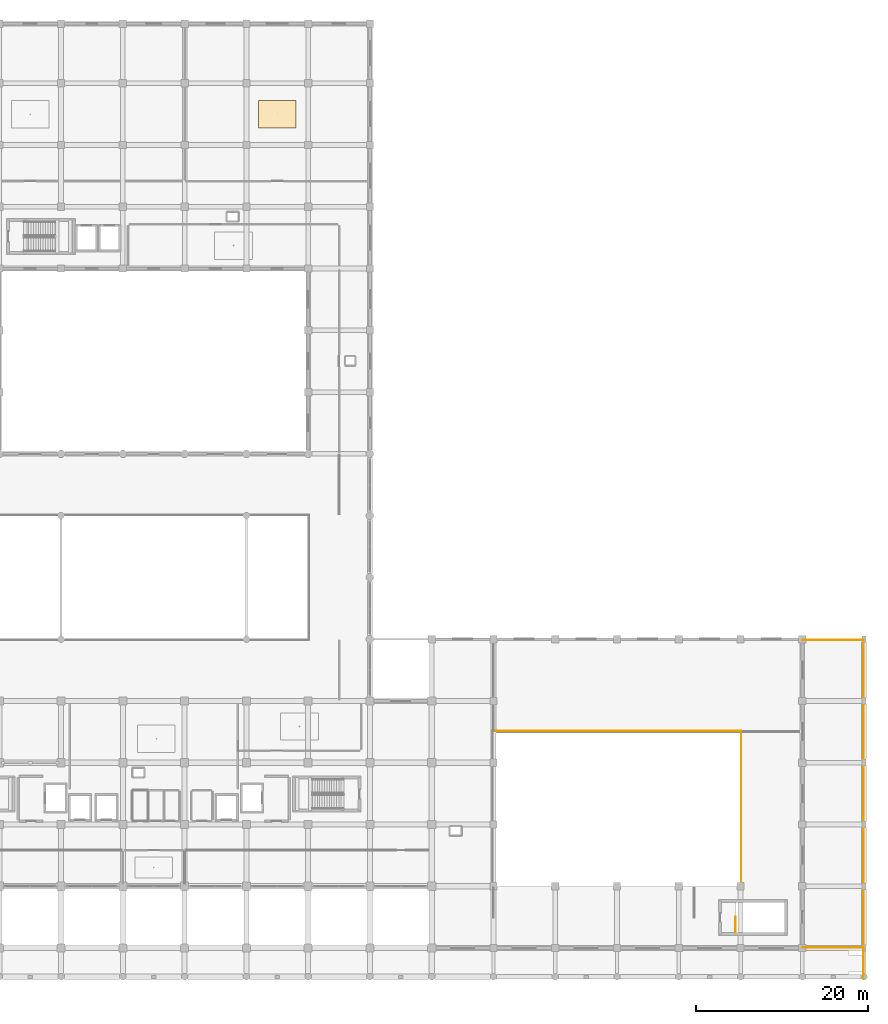
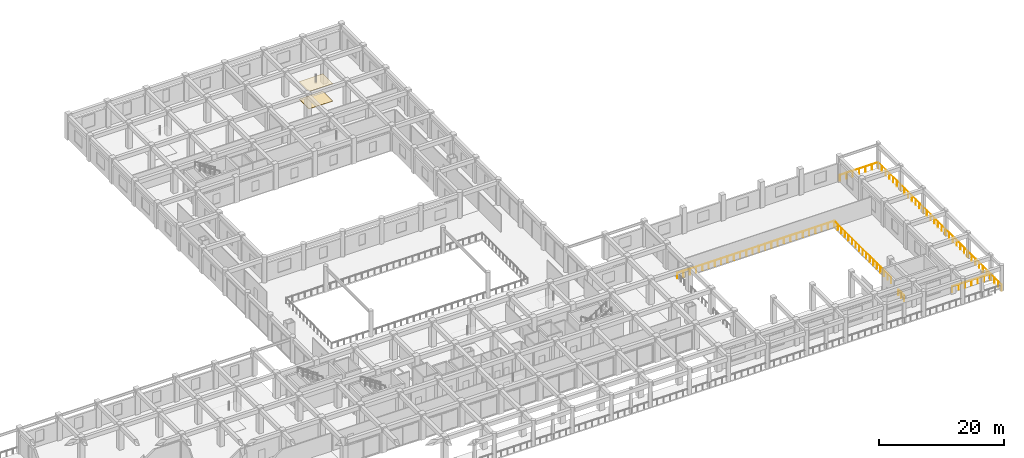
# One storey, part 54 of 54: 7 railings, 2 coverings.
"""IFC4 building model written with IfcOpenShell, lengths in metres."""

from ifc_helpers import new_model, si_unit, direction, frame, origin, origin_2d, place, context, subcontext, project, spatial, rectangle, circle, extrude, material, layer, layer_set, type_object, element, save


model = new_model("IFC4")

# Units and contexts
model_context = context("Model", 3, precision=1e-05, world=origin(), true_north=direction((0.0, 1.0)))
body_context = subcontext(model_context, "Body", "Model", "MODEL_VIEW")
ifc_project = project(units=[si_unit("LENGTHUNIT", "METRE"), si_unit("AREAUNIT", "SQUARE_METRE"), si_unit("VOLUMEUNIT", "CUBIC_METRE"), si_unit("PLANEANGLEUNIT", "RADIAN"), si_unit("MASSUNIT", "GRAM", prefix="KILO")], contexts=[model_context])

# Site, building, storey
site_placement = place(None, origin())
site = spatial("IfcSite", under=ifc_project, at=site_placement, CompositionType="ELEMENT")
building_placement = place(site_placement, origin())
building = spatial("IfcBuilding", under=site, at=building_placement, Name="Kazehaya Institute of Natural Sciences", CompositionType="ELEMENT")
storey_placement = place(building_placement, frame((0.0, 0.0, 5.39990234375)))
storey = spatial("IfcBuildingStorey", under=building, at=storey_placement, Name="L01", CompositionType="ELEMENT", Elevation=5.39990234375)

# Coverings
ifc_material_1 = material(Name="Mineral-fibre acoustic ceiling tile")
ifc_layer_1 = layer(ifc_material_1, 0.02490234375, Name="Mineral-fibre acoustic ceiling tile")
ifc_layer_set_1 = layer_set([ifc_layer_1], Name="Mineral-fibre acoustic ceiling tile")
covering_type_1 = type_object("IfcCoveringType", Name="COV-CEIL-AC", PredefinedType="CEILING", material=ifc_layer_set_1)
covering_1_placement = place(storey_placement, frame((101.397705078125, 104.005615234375, 3.3876953125), z_axis=(0.0, 0.0, 1.0), x_axis=(1.0, 0.0, 0.0)))
element("IfcCovering", 1, at=covering_1_placement, inside=storey, type_object=covering_type_1, Name="L01 Laser Interferometry Lab ceiling 22", PredefinedType="CEILING", context=body_context, shape_type="SweptSolid", body=[
    extrude(rectangle(XDim=4.39990234375, YDim=3.199951171875, at=origin_2d()), origin(), (0.0, 0.0, 1.0), 0.02490234375),
])
ifc_material_2 = material(Name="Polished Sawara stone terrazzo flooring", Category="masonry")
ifc_layer_2 = layer(ifc_material_2, 0.02001953125, Name="Polished Sawara stone terrazzo flooring", Category="masonry")
ifc_layer_set_2 = layer_set([ifc_layer_2], Name="Polished Sawara stone terrazzo flooring")
covering_type_2 = type_object("IfcCoveringType", Name="COV-FLR-TRZ", PredefinedType="FLOORING", material=ifc_layer_set_2)
covering_2_placement = place(storey_placement, frame((101.397705078125, 104.005615234375, 0.0), z_axis=(0.0, 0.0, 1.0), x_axis=(1.0, 0.0, 0.0)))
element("IfcCovering", 2, at=covering_2_placement, inside=storey, type_object=covering_type_2, Name="L01 Laser Interferometry Lab finish flooring 22", PredefinedType="FLOORING", context=body_context, shape_type="SweptSolid", body=[
    extrude(rectangle(XDim=4.39990234375, YDim=3.199951171875, at=origin_2d()), origin(), (0.0, 0.0, 1.0), 0.02001953125),
])

# Railings
ifc_material_3 = material(Name="Precast limestone and bronze balustrade", Category="masonry")
railing_type_1 = type_object("IfcRailingType", Name="RL-GUARD-TER", PredefinedType="BALUSTRADE", material=ifc_material_3)
railing_1_placement = place(storey_placement, frame((169.719970703125, 3.280029296875, 0.0)))
element("IfcRailing", 3, at=railing_1_placement, inside=storey, type_object=railing_type_1, Name="L01 terrace balustrade GRD-L01-003", PredefinedType="BALUSTRADE", context=body_context, shape_type="SweptSolid", body=[
    extrude(circle(Radius=0.02392578125, at=origin_2d()), frame((0.0, 0.0, 1.1259765625), z_axis=(0.0, 1.0, 0.0), x_axis=(-1.0, 0.0, 0.0)), (0.0, 0.0, 1.0), 3.43994140625),
    extrude(circle(Radius=0.02099609375, at=origin_2d()), origin(), (0.0, 0.0, 1.0), 1.101806640625),
    extrude(circle(Radius=0.02099609375, at=origin_2d()), frame((0.0, 1.146728515625, 0.0)), (0.0, 0.0, 1.0), 1.101806640625),
    extrude(circle(Radius=0.02099609375, at=origin_2d()), frame((0.0, 2.293212890625, 0.0)), (0.0, 0.0, 1.0), 1.101806640625),
    extrude(circle(Radius=0.02099609375, at=origin_2d()), frame((0.0, 3.43994140625, 0.0)), (0.0, 0.0, 1.0), 1.101806640625),
])
railing_2_placement = place(storey_placement, frame((162.679931640625, 6.8798828125, 0.0)))
element("IfcRailing", 4, at=railing_2_placement, inside=storey, type_object=railing_type_1, Name="L01 terrace balustrade GRD-L01-007", PredefinedType="BALUSTRADE", context=body_context, shape_type="SweptSolid", body=[
    extrude(circle(Radius=0.02392578125, at=origin_2d()), frame((0.0, 0.0, 1.1259765625), z_axis=(1.0, 0.0, 0.0), x_axis=(0.0, 1.0, 0.0)), (0.0, 0.0, 1.0), 7.0400390625),
    extrude(circle(Radius=0.02099609375, at=origin_2d()), origin(), (0.0, 0.0, 1.0), 1.101806640625),
    extrude(circle(Radius=0.02099609375, at=origin_2d()), frame((1.17333984375, 0.0, 0.0)), (0.0, 0.0, 1.0), 1.101806640625),
    extrude(circle(Radius=0.02099609375, at=origin_2d()), frame((2.3466796875, 0.0, 0.0)), (0.0, 0.0, 1.0), 1.101806640625),
    extrude(circle(Radius=0.02099609375, at=origin_2d()), frame((3.52001953125, 0.0, 0.0)), (0.0, 0.0, 1.0), 1.101806640625),
    extrude(circle(Radius=0.02099609375, at=origin_2d()), frame((4.693359375, 0.0, 0.0)), (0.0, 0.0, 1.0), 1.101806640625),
    extrude(circle(Radius=0.02099609375, at=origin_2d()), frame((5.86669921875, 0.0, 0.0)), (0.0, 0.0, 1.0), 1.101806640625),
    extrude(circle(Radius=0.02099609375, at=origin_2d()), frame((7.0400390625, 0.0, 0.0)), (0.0, 0.0, 1.0), 1.101806640625),
])
railing_3_placement = place(storey_placement, frame((169.719970703125, 42.719970703125, 0.0)))
element("IfcRailing", 5, at=railing_3_placement, inside=storey, type_object=railing_type_1, Name="L01 terrace balustrade GRD-L01-008", PredefinedType="BALUSTRADE", context=body_context, shape_type="SweptSolid", body=[
    extrude(circle(Radius=0.02392578125, at=origin_2d()), frame((0.0, 0.0, 1.1259765625), z_axis=(-1.0, 0.0, 0.0), x_axis=(0.0, -1.0, 0.0)), (0.0, 0.0, 1.0), 7.0400390625),
    extrude(circle(Radius=0.02099609375, at=origin_2d()), origin(), (0.0, 0.0, 1.0), 1.101806640625),
    extrude(circle(Radius=0.02099609375, at=origin_2d()), frame((-1.17333984375, 0.0, 0.0)), (0.0, 0.0, 1.0), 1.101806640625),
    extrude(circle(Radius=0.02099609375, at=origin_2d()), frame((-2.3466796875, 0.0, 0.0)), (0.0, 0.0, 1.0), 1.101806640625),
    extrude(circle(Radius=0.02099609375, at=origin_2d()), frame((-3.52001953125, 0.0, 0.0)), (0.0, 0.0, 1.0), 1.101806640625),
    extrude(circle(Radius=0.02099609375, at=origin_2d()), frame((-4.693359375, 0.0, 0.0)), (0.0, 0.0, 1.0), 1.101806640625),
    extrude(circle(Radius=0.02099609375, at=origin_2d()), frame((-5.86669921875, 0.0, 0.0)), (0.0, 0.0, 1.0), 1.101806640625),
    extrude(circle(Radius=0.02099609375, at=origin_2d()), frame((-7.0400390625, 0.0, 0.0)), (0.0, 0.0, 1.0), 1.101806640625),
])
railing_4_placement = place(storey_placement, frame((169.719970703125, 6.8798828125, 0.0)))
element("IfcRailing", 6, at=railing_4_placement, inside=storey, type_object=railing_type_1, Name="L01 terrace balustrade GRD-L01-009", PredefinedType="BALUSTRADE", context=body_context, shape_type="SweptSolid", body=[
    extrude(circle(Radius=0.02392578125, at=origin_2d()), frame((0.0, 0.0, 1.1259765625), z_axis=(0.0, 1.0, 0.0), x_axis=(-1.0, 0.0, 0.0)), (0.0, 0.0, 1.0), 35.840087890625),
    extrude(circle(Radius=0.02099609375, at=origin_2d()), origin(), (0.0, 0.0, 1.0), 1.101806640625),
    extrude(circle(Radius=0.02099609375, at=origin_2d()), frame((0.0, 1.194580078125, 0.0)), (0.0, 0.0, 1.0), 1.101806640625),
    extrude(circle(Radius=0.02099609375, at=origin_2d()), frame((0.0, 2.389404296875, 0.0)), (0.0, 0.0, 1.0), 1.101806640625),
    extrude(circle(Radius=0.02099609375, at=origin_2d()), frame((0.0, 3.583984375, 0.0)), (0.0, 0.0, 1.0), 1.101806640625),
    extrude(circle(Radius=0.02099609375, at=origin_2d()), frame((0.0, 4.778564453125, 0.0)), (0.0, 0.0, 1.0), 1.101806640625),
    extrude(circle(Radius=0.02099609375, at=origin_2d()), frame((0.0, 5.973388671875, 0.0)), (0.0, 0.0, 1.0), 1.101806640625),
    extrude(circle(Radius=0.02099609375, at=origin_2d()), frame((0.0, 7.16796875, 0.0)), (0.0, 0.0, 1.0), 1.101806640625),
    extrude(circle(Radius=0.02099609375, at=origin_2d()), frame((0.0, 8.36279296875, 0.0)), (0.0, 0.0, 1.0), 1.101806640625),
    extrude(circle(Radius=0.02099609375, at=origin_2d()), frame((0.0, 9.557373046875, 0.0)), (0.0, 0.0, 1.0), 1.101806640625),
    extrude(circle(Radius=0.02099609375, at=origin_2d()), frame((0.0, 10.751953125, 0.0)), (0.0, 0.0, 1.0), 1.101806640625),
    extrude(circle(Radius=0.02099609375, at=origin_2d()), frame((0.0, 11.94677734375, 0.0)), (0.0, 0.0, 1.0), 1.101806640625),
    extrude(circle(Radius=0.02099609375, at=origin_2d()), frame((0.0, 13.141357421875, 0.0)), (0.0, 0.0, 1.0), 1.101806640625),
    extrude(circle(Radius=0.02099609375, at=origin_2d()), frame((0.0, 14.3359375, 0.0)), (0.0, 0.0, 1.0), 1.101806640625),
    extrude(circle(Radius=0.02099609375, at=origin_2d()), frame((0.0, 15.53076171875, 0.0)), (0.0, 0.0, 1.0), 1.101806640625),
    extrude(circle(Radius=0.02099609375, at=origin_2d()), frame((0.0, 16.725341796875, 0.0)), (0.0, 0.0, 1.0), 1.101806640625),
    extrude(circle(Radius=0.02099609375, at=origin_2d()), frame((0.0, 17.919921875, 0.0)), (0.0, 0.0, 1.0), 1.101806640625),
    extrude(circle(Radius=0.02099609375, at=origin_2d()), frame((0.0, 19.11474609375, 0.0)), (0.0, 0.0, 1.0), 1.101806640625),
    extrude(circle(Radius=0.02099609375, at=origin_2d()), frame((0.0, 20.309326171875, 0.0)), (0.0, 0.0, 1.0), 1.101806640625),
    extrude(circle(Radius=0.02099609375, at=origin_2d()), frame((0.0, 21.504150390625, 0.0)), (0.0, 0.0, 1.0), 1.101806640625),
    extrude(circle(Radius=0.02099609375, at=origin_2d()), frame((0.0, 22.69873046875, 0.0)), (0.0, 0.0, 1.0), 1.101806640625),
    extrude(circle(Radius=0.02099609375, at=origin_2d()), frame((0.0, 23.893310546875, 0.0)), (0.0, 0.0, 1.0), 1.101806640625),
    extrude(circle(Radius=0.02099609375, at=origin_2d()), frame((0.0, 25.088134765625, 0.0)), (0.0, 0.0, 1.0), 1.101806640625),
    extrude(circle(Radius=0.02099609375, at=origin_2d()), frame((0.0, 26.28271484375, 0.0)), (0.0, 0.0, 1.0), 1.101806640625),
    extrude(circle(Radius=0.02099609375, at=origin_2d()), frame((0.0, 27.477294921875, 0.0)), (0.0, 0.0, 1.0), 1.101806640625),
    extrude(circle(Radius=0.02099609375, at=origin_2d()), frame((0.0, 28.672119140625, 0.0)), (0.0, 0.0, 1.0), 1.101806640625),
    extrude(circle(Radius=0.02099609375, at=origin_2d()), frame((0.0, 29.86669921875, 0.0)), (0.0, 0.0, 1.0), 1.101806640625),
    extrude(circle(Radius=0.02099609375, at=origin_2d()), frame((0.0, 31.0615234375, 0.0)), (0.0, 0.0, 1.0), 1.101806640625),
    extrude(circle(Radius=0.02099609375, at=origin_2d()), frame((0.0, 32.256103515625, 0.0)), (0.0, 0.0, 1.0), 1.101806640625),
    extrude(circle(Radius=0.02099609375, at=origin_2d()), frame((0.0, 33.45068359375, 0.0)), (0.0, 0.0, 1.0), 1.101806640625),
    extrude(circle(Radius=0.02099609375, at=origin_2d()), frame((0.0, 34.6455078125, 0.0)), (0.0, 0.0, 1.0), 1.101806640625),
    extrude(circle(Radius=0.02099609375, at=origin_2d()), frame((0.0, 35.840087890625, 0.0)), (0.0, 0.0, 1.0), 1.101806640625),
])
ifc_material_4 = material(Name="Structural steel SN490B", Category="steel")
railing_type_2 = type_object("IfcRailingType", Name="RL-GUARD-VOID", PredefinedType="GUARDRAIL", material=ifc_material_4)
railing_5_placement = place(storey_placement, frame((126.52001953125, 32.080078125, 0.0)))
element("IfcRailing", 7, at=railing_5_placement, inside=storey, type_object=railing_type_2, Name="L01 void guard GRD-L01-037", PredefinedType="GUARDRAIL", context=body_context, shape_type="SweptSolid", body=[
    extrude(circle(Radius=0.02392578125, at=origin_2d()), frame((0.0, 0.0, 1.1259765625), z_axis=(1.0, 0.0, 0.0), x_axis=(0.0, 1.0, 0.0)), (0.0, 0.0, 1.0), 28.9599609375),
    extrude(circle(Radius=0.02099609375, at=origin_2d()), origin(), (0.0, 0.0, 1.0), 1.101806640625),
    extrude(circle(Radius=0.02099609375, at=origin_2d()), frame((1.158447265625, 0.0, 0.0)), (0.0, 0.0, 1.0), 1.101806640625),
    extrude(circle(Radius=0.02099609375, at=origin_2d()), frame((2.31689453125, 0.0, 0.0)), (0.0, 0.0, 1.0), 1.101806640625),
    extrude(circle(Radius=0.02099609375, at=origin_2d()), frame((3.47509765625, 0.0, 0.0)), (0.0, 0.0, 1.0), 1.101806640625),
    extrude(circle(Radius=0.02099609375, at=origin_2d()), frame((4.633544921875, 0.0, 0.0)), (0.0, 0.0, 1.0), 1.101806640625),
    extrude(circle(Radius=0.02099609375, at=origin_2d()), frame((5.7919921875, 0.0, 0.0)), (0.0, 0.0, 1.0), 1.101806640625),
    extrude(circle(Radius=0.02099609375, at=origin_2d()), frame((6.950439453125, 0.0, 0.0)), (0.0, 0.0, 1.0), 1.101806640625),
    extrude(circle(Radius=0.02099609375, at=origin_2d()), frame((8.10888671875, 0.0, 0.0)), (0.0, 0.0, 1.0), 1.101806640625),
    extrude(circle(Radius=0.02099609375, at=origin_2d()), frame((9.26708984375, 0.0, 0.0)), (0.0, 0.0, 1.0), 1.101806640625),
    extrude(circle(Radius=0.02099609375, at=origin_2d()), frame((10.425537109375, 0.0, 0.0)), (0.0, 0.0, 1.0), 1.101806640625),
    extrude(circle(Radius=0.02099609375, at=origin_2d()), frame((11.583984375, 0.0, 0.0)), (0.0, 0.0, 1.0), 1.101806640625),
    extrude(circle(Radius=0.02099609375, at=origin_2d()), frame((12.742431640625, 0.0, 0.0)), (0.0, 0.0, 1.0), 1.101806640625),
    extrude(circle(Radius=0.02099609375, at=origin_2d()), frame((13.90087890625, 0.0, 0.0)), (0.0, 0.0, 1.0), 1.101806640625),
    extrude(circle(Radius=0.02099609375, at=origin_2d()), frame((15.05908203125, 0.0, 0.0)), (0.0, 0.0, 1.0), 1.101806640625),
    extrude(circle(Radius=0.02099609375, at=origin_2d()), frame((16.217529296875, 0.0, 0.0)), (0.0, 0.0, 1.0), 1.101806640625),
    extrude(circle(Radius=0.02099609375, at=origin_2d()), frame((17.3759765625, 0.0, 0.0)), (0.0, 0.0, 1.0), 1.101806640625),
    extrude(circle(Radius=0.02099609375, at=origin_2d()), frame((18.534423828125, 0.0, 0.0)), (0.0, 0.0, 1.0), 1.101806640625),
    extrude(circle(Radius=0.02099609375, at=origin_2d()), frame((19.69287109375, 0.0, 0.0)), (0.0, 0.0, 1.0), 1.101806640625),
    extrude(circle(Radius=0.02099609375, at=origin_2d()), frame((20.85107421875, 0.0, 0.0)), (0.0, 0.0, 1.0), 1.101806640625),
    extrude(circle(Radius=0.02099609375, at=origin_2d()), frame((22.009521484375, 0.0, 0.0)), (0.0, 0.0, 1.0), 1.101806640625),
    extrude(circle(Radius=0.02099609375, at=origin_2d()), frame((23.16796875, 0.0, 0.0)), (0.0, 0.0, 1.0), 1.101806640625),
    extrude(circle(Radius=0.02099609375, at=origin_2d()), frame((24.326416015625, 0.0, 0.0)), (0.0, 0.0, 1.0), 1.101806640625),
    extrude(circle(Radius=0.02099609375, at=origin_2d()), frame((25.48486328125, 0.0, 0.0)), (0.0, 0.0, 1.0), 1.101806640625),
    extrude(circle(Radius=0.02099609375, at=origin_2d()), frame((26.64306640625, 0.0, 0.0)), (0.0, 0.0, 1.0), 1.101806640625),
    extrude(circle(Radius=0.02099609375, at=origin_2d()), frame((27.801513671875, 0.0, 0.0)), (0.0, 0.0, 1.0), 1.101806640625),
    extrude(circle(Radius=0.02099609375, at=origin_2d()), frame((28.9599609375, 0.0, 0.0)), (0.0, 0.0, 1.0), 1.101806640625),
])
railing_6_placement = place(storey_placement, frame((155.47998046875, 13.919921875, 0.0)))
element("IfcRailing", 8, at=railing_6_placement, inside=storey, type_object=railing_type_2, Name="L01 void guard GRD-L01-039", PredefinedType="GUARDRAIL", context=body_context, shape_type="SweptSolid", body=[
    extrude(circle(Radius=0.02392578125, at=origin_2d()), frame((0.0, 0.0, 1.1259765625), z_axis=(0.0, 1.0, 0.0), x_axis=(-1.0, 0.0, 0.0)), (0.0, 0.0, 1.0), 18.16015625),
    extrude(circle(Radius=0.02099609375, at=origin_2d()), origin(), (0.0, 0.0, 1.0), 1.101806640625),
    extrude(circle(Radius=0.02099609375, at=origin_2d()), frame((0.0, 1.135009765625, 0.0)), (0.0, 0.0, 1.0), 1.101806640625),
    extrude(circle(Radius=0.02099609375, at=origin_2d()), frame((0.0, 2.27001953125, 0.0)), (0.0, 0.0, 1.0), 1.101806640625),
    extrude(circle(Radius=0.02099609375, at=origin_2d()), frame((0.0, 3.405029296875, 0.0)), (0.0, 0.0, 1.0), 1.101806640625),
    extrude(circle(Radius=0.02099609375, at=origin_2d()), frame((0.0, 4.5400390625, 0.0)), (0.0, 0.0, 1.0), 1.101806640625),
    extrude(circle(Radius=0.02099609375, at=origin_2d()), frame((0.0, 5.675048828125, 0.0)), (0.0, 0.0, 1.0), 1.101806640625),
    extrude(circle(Radius=0.02099609375, at=origin_2d()), frame((0.0, 6.81005859375, 0.0)), (0.0, 0.0, 1.0), 1.101806640625),
    extrude(circle(Radius=0.02099609375, at=origin_2d()), frame((0.0, 7.945068359375, 0.0)), (0.0, 0.0, 1.0), 1.101806640625),
    extrude(circle(Radius=0.02099609375, at=origin_2d()), frame((0.0, 9.080078125, 0.0)), (0.0, 0.0, 1.0), 1.101806640625),
    extrude(circle(Radius=0.02099609375, at=origin_2d()), frame((0.0, 10.215087890625, 0.0)), (0.0, 0.0, 1.0), 1.101806640625),
    extrude(circle(Radius=0.02099609375, at=origin_2d()), frame((0.0, 11.35009765625, 0.0)), (0.0, 0.0, 1.0), 1.101806640625),
    extrude(circle(Radius=0.02099609375, at=origin_2d()), frame((0.0, 12.485107421875, 0.0)), (0.0, 0.0, 1.0), 1.101806640625),
    extrude(circle(Radius=0.02099609375, at=origin_2d()), frame((0.0, 13.6201171875, 0.0)), (0.0, 0.0, 1.0), 1.101806640625),
    extrude(circle(Radius=0.02099609375, at=origin_2d()), frame((0.0, 14.755126953125, 0.0)), (0.0, 0.0, 1.0), 1.101806640625),
    extrude(circle(Radius=0.02099609375, at=origin_2d()), frame((0.0, 15.89013671875, 0.0)), (0.0, 0.0, 1.0), 1.101806640625),
    extrude(circle(Radius=0.02099609375, at=origin_2d()), frame((0.0, 17.025146484375, 0.0)), (0.0, 0.0, 1.0), 1.101806640625),
    extrude(circle(Radius=0.02099609375, at=origin_2d()), frame((0.0, 18.16015625, 0.0)), (0.0, 0.0, 1.0), 1.101806640625),
])
railing_type_3 = type_object("IfcRailingType", Name="RL-STAIR-GRD", PredefinedType="GUARDRAIL", material=ifc_material_4)
railing_7_placement = place(storey_placement, frame((154.81005859375, 8.60009765625, 0.0)))
element("IfcRailing", 9, at=railing_7_placement, inside=storey, type_object=railing_type_3, Name="L01 ST-5 top well guard 1", PredefinedType="GUARDRAIL", context=body_context, shape_type="SweptSolid", body=[
    extrude(circle(Radius=0.02392578125, at=origin_2d()), frame((0.0, 0.0, 1.076171875), z_axis=(0.0, 1.0, 0.0), x_axis=(-1.0, 0.0, 0.0)), (0.0, 0.0, 1.0), 1.81982421875),
    extrude(circle(Radius=0.02099609375, at=origin_2d()), origin(), (0.0, 0.0, 1.0), 1.052001953125),
    extrude(circle(Radius=0.02099609375, at=origin_2d()), frame((0.0, 0.909912109375, 0.0)), (0.0, 0.0, 1.0), 1.052001953125),
    extrude(circle(Radius=0.02099609375, at=origin_2d()), frame((0.0, 1.81982421875, 0.0)), (0.0, 0.0, 1.0), 1.052001953125),
])

save(model, "model.ifc")
